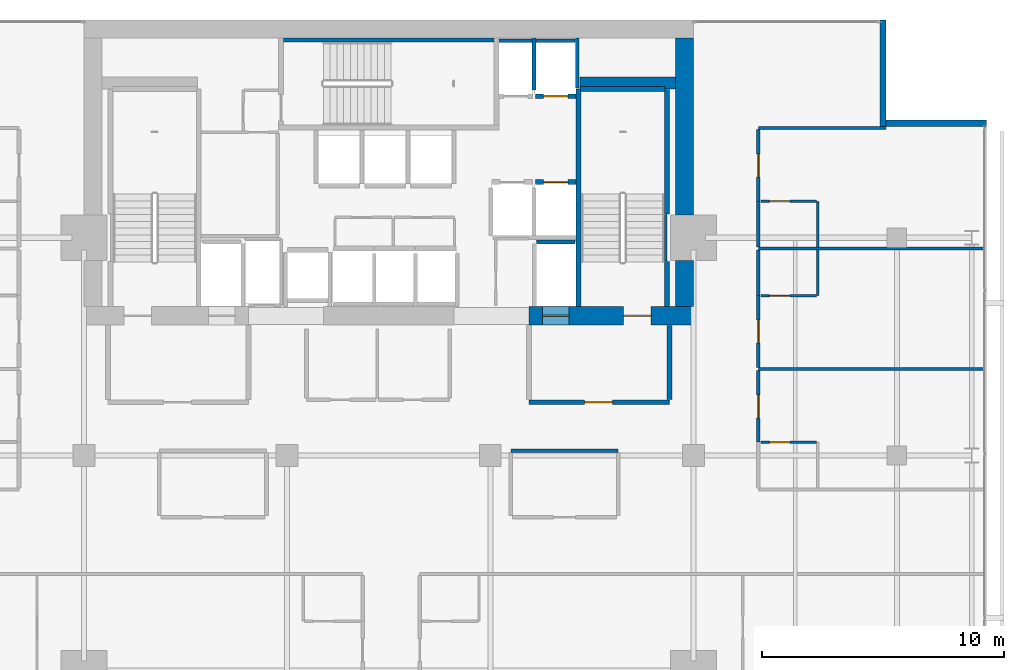
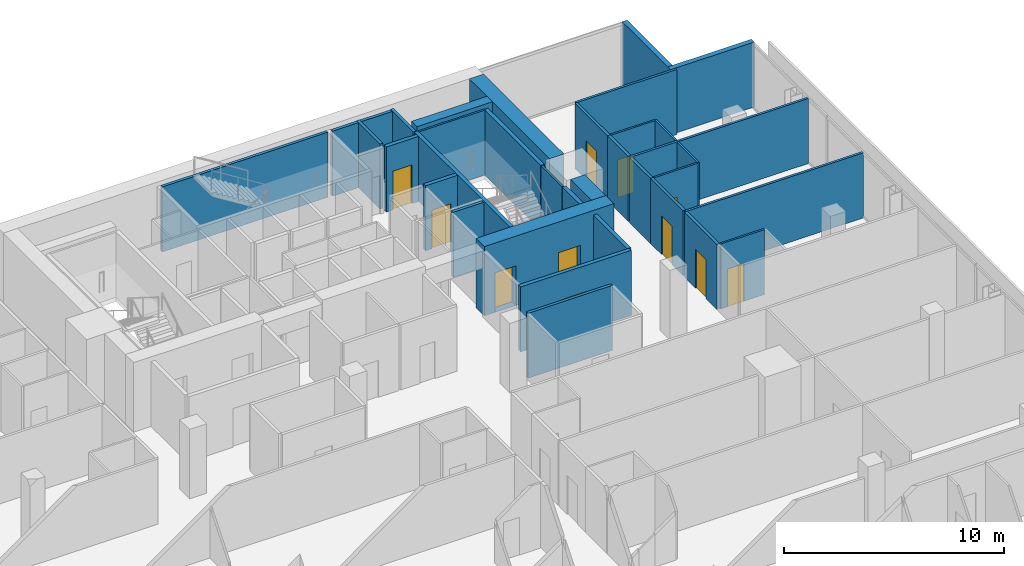
# One storey, part 31 of 34: 34 walls, 11 doors, 11 openings.
"""IFC4 building model written with IfcOpenShell, lengths in metres."""

import ifcopenshell
import ifcopenshell.guid

model = None  # the IFC model being written
_history = None  # IfcOwnerHistory: only IFC2X3 demands one
_inside = {}  # id of a spatial element -> (the spatial element, [elements in it])
_under = {}  # id of a project, library or spatial element -> (it, [spatial elements below it])
_declared = {}  # id of a project -> (the project, [libraries it declares])
_typed = {}  # id of a type object -> (the type object, [elements of that type])
_made_of = {}  # id of a material, layer set ... -> (it, [elements and type objects made of it])


def new_model(schema):
    """Start an empty IFC model of exactly this schema.

    Asked for "IFC4X3", IfcOpenShell would pick the latest addendum, in which some entities
    have other attributes; the version numbers below select the first issue.
    IFC2X3 requires an IfcOwnerHistory on every rooted entity: one is made here for all.
    """
    global model, _history
    if schema == "IFC4X3":
        model = ifcopenshell.file(schema_version=(4, 3, 0, 0))
    else:
        model = ifcopenshell.file(schema=schema)
    _inside.clear()
    _under.clear()
    _declared.clear()
    _typed.clear()
    _made_of.clear()
    _history = None
    if model.schema == "IFC2X3":
        org = make("IfcOrganization", Name="unknown")
        user = make(
            "IfcPersonAndOrganization",
            ThePerson=make("IfcPerson", FamilyName="unknown"),
            TheOrganization=org,
        )
        app = make(
            "IfcApplication",
            ApplicationDeveloper=org,
            Version="unknown",
            ApplicationFullName="unknown",
            ApplicationIdentifier="unknown",
        )
        _history = make(
            "IfcOwnerHistory",
            OwningUser=user,
            OwningApplication=app,
            ChangeAction="ADDED",
            CreationDate=0,
        )
    return model


def make(cls, **values):
    """One entity of the class cls with the attributes given. An attribute that is None is left unset."""
    return model.create_entity(
        cls, **{name: value for name, value in values.items() if value is not None}
    )


def rooted(cls, **values):
    """An entity with a GlobalId (a new one), such as an element, a storey or a relation."""
    return make(cls, GlobalId=ifcopenshell.guid.new(), OwnerHistory=_history, **values)


def si_unit(unit_type, name, prefix=None):
    """IfcSIUnit, for example si_unit("LENGTHUNIT", "METRE", prefix="MILLI")."""
    return make("IfcSIUnit", UnitType=unit_type, Prefix=prefix, Name=name)


def assignment(units):
    """IfcUnitAssignment: the units of a project."""
    return None if units is None else make("IfcUnitAssignment", Units=units)


def point(xyz):
    """IfcCartesianPoint."""
    return None if xyz is None else make("IfcCartesianPoint", Coordinates=xyz)


def direction(xyz):
    """IfcDirection."""
    return None if xyz is None else make("IfcDirection", DirectionRatios=xyz)


def frame(location, z_axis=None, x_axis=None):
    """IfcAxis2Placement3D, a coordinate frame: its origin and axes. An axis left out is left unset."""
    return make(
        "IfcAxis2Placement3D",
        Location=point(location),
        Axis=direction(z_axis),
        RefDirection=direction(x_axis),
    )


def frame_2d(location, x_axis=None):
    """IfcAxis2Placement2D, a coordinate frame in the plane: its origin and x axis."""
    return make(
        "IfcAxis2Placement2D", Location=point(location), RefDirection=direction(x_axis)
    )


def origin():
    """The frame at (0, 0, 0) with its axes left unset."""
    return frame((0.0, 0.0, 0.0))


def place(relative_to, where):
    """IfcLocalPlacement: puts the frame where relative to a parent placement (None: the world)."""
    return make(
        "IfcLocalPlacement", PlacementRelTo=relative_to, RelativePlacement=where
    )


def context(
    kind, dimensions, precision=None, world=None, true_north=None, identifier=None
):
    """IfcGeometricRepresentationContext, for example the 3D "Model" context."""
    return make(
        "IfcGeometricRepresentationContext",
        ContextIdentifier=identifier,
        ContextType=kind,
        CoordinateSpaceDimension=dimensions,
        Precision=precision,
        WorldCoordinateSystem=world,
        TrueNorth=true_north,
    )


def subcontext(parent, identifier, kind, view, scale=None):
    """IfcGeometricRepresentationSubContext, for example "Body" below "Model"."""
    return make(
        "IfcGeometricRepresentationSubContext",
        ContextIdentifier=identifier,
        ContextType=kind,
        ParentContext=parent,
        TargetScale=scale,
        TargetView=view,
    )


def project(units=None, contexts=None):
    """IfcProject with its units and contexts."""
    return rooted(
        "IfcProject",
        Name="project",
        RepresentationContexts=contexts,
        UnitsInContext=assignment(units),
    )


def spatial(cls, under=None, at=None, **own):
    """A site, building, storey or space (cls), placed at a placement, below another one or the project."""
    s = rooted(cls, ObjectPlacement=at, **own)
    if under is not None:
        _under.setdefault(under.id(), (under, []))[1].append(s)
    return s


def profile(cls, at=None, kind="AREA", **sizes):
    """A parametric profile (cls). Its sizes go by their IFC names, for example OverallWidth=200.0."""
    return make(cls, ProfileType=kind, Position=at, **sizes)


def rectangle(**sizes):
    """IfcRectangleProfileDef."""
    return profile("IfcRectangleProfileDef", **sizes)


def extrude(swept, where, along, depth):
    """IfcExtrudedAreaSolid: the profile swept, set in the frame where, extruded along a direction by depth."""
    return make(
        "IfcExtrudedAreaSolid",
        SweptArea=swept,
        Position=where,
        ExtrudedDirection=direction(along),
        Depth=depth,
    )


def shape(context_of_items, identifier, shape_type, items):
    """IfcShapeRepresentation: the items that make up one representation, for example the "Body"."""
    return make(
        "IfcShapeRepresentation",
        ContextOfItems=context_of_items,
        RepresentationIdentifier=identifier,
        RepresentationType=shape_type,
        Items=items,
    )


def material(Name=None, Category=None):
    """IfcMaterial."""
    return make("IfcMaterial", Name=Name, Category=Category)


def layer(
    of_material, thickness, ventilated=None, Name=None, Category=None, Priority=None
):
    """IfcMaterialLayer: one layer of a wall or slab, of a material (None: an air gap)."""
    return make(
        "IfcMaterialLayer",
        Material=of_material,
        LayerThickness=thickness,
        IsVentilated=ventilated,
        Name=Name,
        Category=Category,
        Priority=Priority,
    )


def layer_set(layers, Name=None):
    """IfcMaterialLayerSet."""
    return make("IfcMaterialLayerSet", MaterialLayers=layers, LayerSetName=Name)


def made_of(thing, what):
    """Note that an element or type object is made of a material, layer set ...; save() writes the relation."""
    if what is not None:
        _made_of.setdefault(what.id(), (what, []))[1].append(thing)
    return thing


def type_object(cls, material=None, **own):
    """A type object (cls), such as IfcWallType, which elements share."""
    return made_of(rooted(cls, **own), material)


def element(
    cls,
    number,
    at=None,
    inside=None,
    cuts=None,
    type_object=None,
    material=None,
    context=None,
    identifier="Body",
    shape_type=None,
    held_by="IfcProductDefinitionShape",
    body=None,
    shapes=None,
    **own,
):
    """One element of the class cls, such as IfcWall. Its Tag is "e" and its number.

    at: its placement. inside: the storey or other place that contains it. cuts: it is an
    opening in that element (IfcRelVoidsElement). A single representation is given by context,
    identifier, shape_type and body (its items); several are given by shapes. held_by: the class
    of the entity that holds the representations. save() writes the other relations.
    """
    e = rooted(cls, Tag="e%d" % number, ObjectPlacement=at, **own)
    if body is not None:
        shapes = [shape(context, identifier, shape_type, body)]
    if shapes is not None:
        e.Representation = make(held_by, Representations=shapes)
    if inside is not None:
        _inside.setdefault(inside.id(), (inside, []))[1].append(e)
    if cuts is not None:
        rooted(
            "IfcRelVoidsElement", RelatingBuildingElement=cuts, RelatedOpeningElement=e
        )
    if type_object is not None:
        _typed.setdefault(type_object.id(), (type_object, []))[1].append(e)
    return made_of(e, material)


def fill(opening, filler):
    """IfcRelFillsElement: the door or window that sits in an opening."""
    return rooted(
        "IfcRelFillsElement",
        RelatingOpeningElement=opening,
        RelatedBuildingElement=filler,
    )


def aggregate(whole, parts):
    """IfcRelAggregates: a whole, such as a stair, and the parts it consists of."""
    return rooted("IfcRelAggregates", RelatingObject=whole, RelatedObjects=parts)


def save(model, path):
    """Write the relations noted so far, then the file.

    IfcRelAggregates (storeys below a building ...), IfcRelContainedInSpatialStructure (elements
    in a storey), IfcRelDefinesByType, IfcRelAssociatesMaterial and IfcRelDeclares: one each for
    every whole, place, type object, material and project.
    """
    for whole, parts in _under.values():
        aggregate(whole, parts)
    for where, things in _inside.values():
        rooted(
            "IfcRelContainedInSpatialStructure",
            RelatedElements=things,
            RelatingStructure=where,
        )
    for kind, things in _typed.values():
        rooted("IfcRelDefinesByType", RelatedObjects=things, RelatingType=kind)
    for what, things in _made_of.values():
        rooted("IfcRelAssociatesMaterial", RelatedObjects=things, RelatingMaterial=what)
    for by, libraries in _declared.values():
        rooted("IfcRelDeclares", RelatingContext=by, RelatedDefinitions=libraries)
    model.write(path)


model = new_model("IFC4")

# Units and contexts
model_context = context("Model", 3, precision=1e-05, world=origin(), true_north=direction((0.0, 1.0)))
body_context = subcontext(model_context, "Body", "Model", "MODEL_VIEW")
ifc_project = project(units=[si_unit("LENGTHUNIT", "METRE"), si_unit("AREAUNIT", "SQUARE_METRE"), si_unit("VOLUMEUNIT", "CUBIC_METRE"), si_unit("PLANEANGLEUNIT", "RADIAN"), si_unit("MASSUNIT", "GRAM", prefix="KILO")], contexts=[model_context])

# Site, building, storey
site_placement = place(None, origin())
site = spatial("IfcSite", under=ifc_project, at=site_placement, CompositionType="ELEMENT")
building_placement = place(site_placement, origin())
building = spatial("IfcBuilding", under=site, at=building_placement, Name="Maruvema Waterfront Hotel and Observation Tower", CompositionType="ELEMENT")
storey_placement = place(building_placement, frame((0.0, 0.0, 215.949951171875)))
storey = spatial("IfcBuildingStorey", under=building, at=storey_placement, Name="L53", CompositionType="ELEMENT", Elevation=215.949951171875)

# Wall
ifc_material_1 = material(Name="Twin-stud acoustic gypsum drywall", Category="gypsum")
ifc_layer_1 = layer(ifc_material_1, 0.14990234375, Name="Acoustic Corridor and Suite Demising Wall 150 mm")
ifc_layer_set_1 = layer_set([ifc_layer_1], Name="Twin-stud acoustic gypsum drywall")
wall_type_1 = type_object("IfcWallType", Name="Acoustic Corridor and Suite Demising Wall 150 mm", PredefinedType="PARTITIONING", material=ifc_layer_set_1)
wall_1_placement = place(storey_placement, frame((42.85009765625, 36.199951171875, 0.0), z_axis=(0.0, 0.0, 1.0), x_axis=(1.0, 0.0, 0.0)))
element("IfcWall", 1, at=wall_1_placement, inside=storey, type_object=wall_type_1, Name="L53 L53-M2 Back Wall 031", PredefinedType="PARTITIONING", context=body_context, shape_type="SweptSolid", body=[
    extrude(rectangle(XDim=4.429931640625, YDim=0.14990234375, at=frame_2d((2.21484375, 0.0))), origin(), (0.0, 0.0, 1.0), 3.610107421875),
])

# Wall, opening, door
wall_2_placement = place(storey_placement, frame((53.080078125, 36.550048828125, 0.0), z_axis=(0.0, 0.0, 1.0), x_axis=(0.0, 1.0, 0.0)))
wall_2 = element("IfcWall", 2, at=wall_2_placement, inside=storey, type_object=wall_type_1, Name="L53 Room L53-NE1 Corridor Wall 111", PredefinedType="PARTITIONING", context=body_context, shape_type="SweptSolid", body=[
    extrude(rectangle(XDim=2.96923828125, YDim=0.14990234375, at=frame_2d((1.484619140625, 0.0))), origin(), (0.0, 0.0, 1.0), 3.610107421875),
])
opening_1_placement = place(wall_2_placement, frame((1.009521484375, 0.0, 0.0)))
opening_1 = element("IfcOpeningElement", 3, at=opening_1_placement, cuts=wall_2, Name="Opening DR-095", PredefinedType="OPENING", context=body_context, shape_type="SweptSolid", body=[
    extrude(rectangle(XDim=0.949951171875, YDim=2.14990234375, at=frame_2d((0.47509765625, 1.074951171875))), frame((0.0, 0.0849609375, 0.0), z_axis=(0.0, -1.0, 0.0), x_axis=(1.0, 0.0, 0.0)), (0.0, 0.0, 1.0), 0.169921875),
])
ifc_material_2 = material(Name="Acoustic solid-core hardwood timber leaf", Category="wood")
door_type_1 = type_object("IfcDoorType", Name="Guestroom Entrance Fire Door 950x2150 mm", OperationType="NOTDEFINED", PredefinedType="DOOR", material=ifc_material_2)
door_1_placement = place(opening_1_placement, frame((0.949951171875, 0.0, 0.0), z_axis=(0.0, 0.0, 1.0), x_axis=(-1.0, 0.0, 0.0)))
door_1 = element("IfcDoor", 4, at=door_1_placement, inside=storey, type_object=door_type_1, Name="L53 Room L53-NE1 Entrance Door", OperationType="SINGLE_SWING_RIGHT", OverallHeight=2.14990234375, OverallWidth=0.949951171875, PredefinedType="DOOR", context=body_context, shape_type="SweptSolid", body=[
    extrude(rectangle(XDim=0.949951171875, YDim=2.14990234375, at=frame_2d((0.47509765625, 1.074951171875))), frame((0.0, 0.02490234375, 0.0), z_axis=(0.0, -1.0, 0.0), x_axis=(1.0, 0.0, 0.0)), (0.0, 0.0, 1.0), 0.050048828125),
])
fill(opening_1, door_1)

wall_3_placement = place(storey_placement, frame((53.080078125, 39.63916015625, 0.0), z_axis=(0.0, 0.0, 1.0), x_axis=(0.0, 1.0, 0.0)))
wall_3 = element("IfcWall", 5, at=wall_3_placement, inside=storey, type_object=wall_type_1, Name="L53 Room L53-NE2 Corridor Wall 120", PredefinedType="PARTITIONING", context=body_context, shape_type="SweptSolid", body=[
    extrude(rectangle(XDim=2.96923828125, YDim=0.14990234375, at=frame_2d((1.484619140625, 0.0))), origin(), (0.0, 0.0, 1.0), 3.610107421875),
])
opening_2_placement = place(wall_3_placement, frame((1.009521484375, 0.0, 0.0)))
opening_2 = element("IfcOpeningElement", 6, at=opening_2_placement, cuts=wall_3, Name="Opening DR-095", PredefinedType="OPENING", context=body_context, shape_type="SweptSolid", body=[
    extrude(rectangle(XDim=0.949951171875, YDim=2.14990234375, at=frame_2d((0.47509765625, 1.074951171875))), frame((0.0, 0.0849609375, 0.0), z_axis=(0.0, -1.0, 0.0), x_axis=(1.0, 0.0, 0.0)), (0.0, 0.0, 1.0), 0.169921875),
])
door_2_placement = place(opening_2_placement, frame((0.949951171875, 0.0, 0.0), z_axis=(0.0, 0.0, 1.0), x_axis=(-1.0, 0.0, 0.0)))
door_2 = element("IfcDoor", 7, at=door_2_placement, inside=storey, type_object=door_type_1, Name="L53 Room L53-NE2 Entrance Door", OperationType="SINGLE_SWING_RIGHT", OverallHeight=2.14990234375, OverallWidth=0.949951171875, PredefinedType="DOOR", context=body_context, shape_type="SweptSolid", body=[
    extrude(rectangle(XDim=0.949951171875, YDim=2.14990234375, at=frame_2d((0.47509765625, 1.074951171875))), frame((0.0, 0.02490234375, 0.0), z_axis=(0.0, -1.0, 0.0), x_axis=(1.0, 0.0, 0.0)), (0.0, 0.0, 1.0), 0.050048828125),
])
fill(opening_2, door_2)

# Walls
for number, where, z_axis, x_axis, name in (
    (8, (53.080078125, 42.6083984375, 0.0), (0.0, 0.0, 1.0), (0.0, 1.0, 0.0), "L53 Bath L53-NE2 Wall 121"),
    (9, (53.080078125, 44.618408203125, 0.0), (0.0, 0.0, 1.0), (0.0, 1.0, 0.0), "L53 Bath L53-NE3 Wall 130"),
):
    element("IfcWall", number, at=place(storey_placement, frame(where, z_axis=z_axis, x_axis=x_axis)), inside=storey, type_object=wall_type_1, Name=name, PredefinedType="PARTITIONING", context=body_context, shape_type="SweptSolid", body=[
        extrude(rectangle(XDim=1.889892578125, YDim=0.14990234375, at=frame_2d((0.94482421875, 0.0))), origin(), (0.0, 0.0, 1.0), 3.610107421875),
    ])

# Wall, opening, door
wall_4_placement = place(storey_placement, frame((53.080078125, 46.50830078125, 0.0), z_axis=(0.0, 0.0, 1.0), x_axis=(0.0, 1.0, 0.0)))
wall_4 = element("IfcWall", 10, at=wall_4_placement, inside=storey, type_object=wall_type_1, Name="L53 Room L53-NE3 Corridor Wall 131", PredefinedType="PARTITIONING", context=body_context, shape_type="SweptSolid", body=[
    extrude(rectangle(XDim=2.96923828125, YDim=0.14990234375, at=frame_2d((1.484619140625, 0.0))), origin(), (0.0, 0.0, 1.0), 3.610107421875),
])
opening_3_placement = place(wall_4_placement, frame((1.009521484375, 0.0, 0.0)))
opening_3 = element("IfcOpeningElement", 11, at=opening_3_placement, cuts=wall_4, Name="Opening DR-095", PredefinedType="OPENING", context=body_context, shape_type="SweptSolid", body=[
    extrude(rectangle(XDim=0.949951171875, YDim=2.14990234375, at=frame_2d((0.47509765625, 1.074951171875))), frame((0.0, 0.0849609375, 0.0), z_axis=(0.0, -1.0, 0.0), x_axis=(1.0, 0.0, 0.0)), (0.0, 0.0, 1.0), 0.169921875),
])
door_3_placement = place(opening_3_placement, frame((0.949951171875, 0.0, 0.0), z_axis=(0.0, 0.0, 1.0), x_axis=(-1.0, 0.0, 0.0)))
door_3 = element("IfcDoor", 12, at=door_3_placement, inside=storey, type_object=door_type_1, Name="L53 Room L53-NE3 Entrance Door", OperationType="SINGLE_SWING_RIGHT", OverallHeight=2.14990234375, OverallWidth=0.949951171875, PredefinedType="DOOR", context=body_context, shape_type="SweptSolid", body=[
    extrude(rectangle(XDim=0.949951171875, YDim=2.14990234375, at=frame_2d((0.47509765625, 1.074951171875))), frame((0.0, 0.02490234375, 0.0), z_axis=(0.0, -1.0, 0.0), x_axis=(1.0, 0.0, 0.0)), (0.0, 0.0, 1.0), 0.050048828125),
])
fill(opening_3, door_3)

# Walls
ifc_material_3 = material(Name="Precast concrete C45/55", Category="concrete")
ifc_layer_2 = layer(ifc_material_3, 0.14990234375, Name="Core Shaft Furring Wall 150 mm")
ifc_layer_set_2 = layer_set([ifc_layer_2], Name="Precast concrete C45/55")
wall_type_2 = type_object("IfcWallType", Name="Core Shaft Furring Wall 150 mm", PredefinedType="SOLIDWALL", material=ifc_layer_set_2)
wall_5_placement = place(storey_placement, frame((33.449951171875, 53.175048828125, 0.0), z_axis=(0.0, 0.0, 1.0), x_axis=(1.0, 0.0, 0.0)))
element("IfcWall", 13, at=wall_5_placement, inside=storey, type_object=wall_type_2, Name="L53 Stairwell ST-02 North Furring Wall", PredefinedType="SOLIDWALL", context=body_context, shape_type="SweptSolid", body=[
    extrude(rectangle(XDim=8.699951171875, YDim=0.14990234375, at=frame_2d((4.35009765625, 0.0))), origin(), (0.0, 0.0, 1.0), 3.610107421875),
])
ifc_material_4 = material(Name="Precast concrete C45/55", Category="concrete")
ifc_layer_3 = layer(ifc_material_4, 0.199951171875, Name="Core Shaft and Stairwell Enclosure Wall 200 mm")
ifc_layer_set_3 = layer_set([ifc_layer_3], Name="Precast concrete C45/55")
wall_type_3 = type_object("IfcWallType", Name="Core Shaft and Stairwell Enclosure Wall 200 mm", PredefinedType="SOLIDWALL", material=ifc_layer_set_3)
wall_6_placement = place(storey_placement, frame((45.64990234375, 42.14990234375, 0.0), z_axis=(0.0, 0.0, 1.0), x_axis=(0.0, 1.0, 0.0)))
element("IfcWall", 14, at=wall_6_placement, inside=storey, type_object=wall_type_3, Name="L53 Stairwell ST-03 West Shaft Wall", PredefinedType="SOLIDWALL", context=body_context, shape_type="SweptSolid", body=[
    extrude(rectangle(XDim=9.0, YDim=0.199951171875, at=frame_2d((4.5, 0.0))), origin(), (0.0, 0.0, 1.0), 3.610107421875),
])
wall_7_placement = place(storey_placement, frame((49.300048828125, 42.14990234375, 0.0), z_axis=(0.0, 0.0, 1.0), x_axis=(0.0, 1.0, 0.0)))
element("IfcWall", 15, at=wall_7_placement, inside=storey, type_object=wall_type_3, Name="L53 Stairwell ST-03 Shaft Lining Wall", PredefinedType="SOLIDWALL", context=body_context, shape_type="SweptSolid", body=[
    extrude(rectangle(XDim=1.8701171875, YDim=0.199951171875, at=frame_2d((0.93505859375, 0.0))), origin(), (0.0, 0.0, 1.0), 3.610107421875),
])
wall_8_placement = place(storey_placement, frame((49.300048828125, 45.97998046875, 0.0), z_axis=(0.0, 0.0, 1.0), x_axis=(0.0, 1.0, 0.0)))
element("IfcWall", 16, at=wall_8_placement, inside=storey, type_object=wall_type_3, Name="L53 Stairwell ST-03 Shaft Lining Wall", PredefinedType="SOLIDWALL", context=body_context, shape_type="SweptSolid", body=[
    extrude(rectangle(XDim=5.14013671875, YDim=0.199951171875, at=frame_2d((2.570068359375, 0.0))), origin(), (0.0, 0.0, 1.0), 3.610107421875),
])
wall_9_placement = place(storey_placement, frame((45.719970703125, 51.14990234375, 0.0), z_axis=(0.0, 0.0, 1.0), x_axis=(1.0, 0.0, 0.0)))
element("IfcWall", 17, at=wall_9_placement, inside=storey, type_object=wall_type_3, Name="L53 Stairwell ST-03 Shaft Lining Wall", PredefinedType="SOLIDWALL", context=body_context, shape_type="SweptSolid", body=[
    extrude(rectangle(XDim=3.5, YDim=0.199951171875, at=frame_2d((1.75, 0.0))), origin(), (0.0, 0.0, 1.0), 3.610107421875),
])

# Wall, opening, door
wall_10_placement = place(storey_placement, frame((43.860107421875, 47.300048828125, 0.0), z_axis=(0.0, 0.0, 1.0), x_axis=(1.0, 0.0, 0.0)))
wall_10 = element("IfcWall", 18, at=wall_10_placement, inside=storey, type_object=wall_type_3, Name="L53 Lift LF-06 Hoistway Front Wall", PredefinedType="SOLIDWALL", context=body_context, shape_type="SweptSolid", body=[
    extrude(rectangle(XDim=1.679931640625, YDim=0.199951171875, at=frame_2d((0.83984375, 0.0))), origin(), (0.0, 0.0, 1.0), 3.610107421875),
])
opening_4_placement = place(wall_10_placement, frame((0.340087890625, 0.0, 0.0)))
opening_4 = element("IfcOpeningElement", 19, at=opening_4_placement, cuts=wall_10, Name="Opening LD-01", PredefinedType="OPENING", context=body_context, shape_type="SweptSolid", body=[
    extrude(rectangle(XDim=1.0, YDim=2.14990234375, at=frame_2d((0.5, 1.074951171875))), frame((0.0, 0.10986328125, 0.0), z_axis=(0.0, -1.0, 0.0), x_axis=(1.0, 0.0, 0.0)), (0.0, 0.0, 1.0), 0.219970703125),
])
ifc_material_5 = material(Name="Brushed stainless steel Grade 316", Category="steel")
door_type_2 = type_object("IfcDoorType", Name="Passenger Lift Sliding Landing Door 1000x2150 mm", OperationType="SLIDING_TO_LEFT", PredefinedType="DOOR", material=ifc_material_5)
door_4_placement = place(opening_4_placement, origin())
door_4 = element("IfcDoor", 20, at=door_4_placement, inside=storey, type_object=door_type_2, Name="L53 Lift LF-06 Sliding Landing Door", OperationType="SLIDING_TO_LEFT", OverallHeight=2.14990234375, OverallWidth=1.0, PredefinedType="DOOR", context=body_context, shape_type="SweptSolid", body=[
    extrude(rectangle(XDim=1.0, YDim=2.14990234375, at=frame_2d((0.5, 1.074951171875))), frame((0.0, 0.02490234375, 0.0), z_axis=(0.0, -1.0, 0.0), x_axis=(1.0, 0.0, 0.0)), (0.0, 0.0, 1.0), 0.050048828125),
])
fill(opening_4, door_4)

wall_11_placement = place(storey_placement, frame((43.860107421875, 50.85009765625, 0.0), z_axis=(0.0, 0.0, 1.0), x_axis=(1.0, 0.0, 0.0)))
wall_11 = element("IfcWall", 21, at=wall_11_placement, inside=storey, type_object=wall_type_3, Name="L53 Lift LF-08 Hoistway Front Wall", PredefinedType="SOLIDWALL", context=body_context, shape_type="SweptSolid", body=[
    extrude(rectangle(XDim=1.679931640625, YDim=0.199951171875, at=frame_2d((0.83984375, 0.0))), origin(), (0.0, 0.0, 1.0), 3.610107421875),
])
opening_5_placement = place(wall_11_placement, frame((0.340087890625, 0.0, 0.0)))
opening_5 = element("IfcOpeningElement", 22, at=opening_5_placement, cuts=wall_11, Name="Opening LD-01", PredefinedType="OPENING", context=body_context, shape_type="SweptSolid", body=[
    extrude(rectangle(XDim=1.0, YDim=2.14990234375, at=frame_2d((0.5, 1.074951171875))), frame((0.0, 0.10986328125, 0.0), z_axis=(0.0, -1.0, 0.0), x_axis=(1.0, 0.0, 0.0)), (0.0, 0.0, 1.0), 0.219970703125),
])
door_5_placement = place(opening_5_placement, frame((1.0, 0.0, 0.0), z_axis=(0.0, 0.0, 1.0), x_axis=(-1.0, 0.0, 0.0)))
door_5 = element("IfcDoor", 23, at=door_5_placement, inside=storey, type_object=door_type_2, Name="L53 Lift LF-08 Sliding Landing Door", OperationType="SLIDING_TO_LEFT", OverallHeight=2.14990234375, OverallWidth=1.0, PredefinedType="DOOR", context=body_context, shape_type="SweptSolid", body=[
    extrude(rectangle(XDim=1.0, YDim=2.14990234375, at=frame_2d((0.5, 1.074951171875))), frame((0.0, 0.02490234375, 0.0), z_axis=(0.0, -1.0, 0.0), x_axis=(1.0, 0.0, 0.0)), (0.0, 0.0, 1.0), 0.050048828125),
])
fill(opening_5, door_5)

# Wall
ifc_material_6 = material(Name="Concrete C70/85", Category="concrete")
ifc_layer_4 = layer(ifc_material_6, 0.5, Name="Core Shear Wall 500 mm")
ifc_layer_set_4 = layer_set([ifc_layer_4], Name="Concrete C70/85")
wall_type_4 = type_object("IfcWallType", Name="Core Shear Wall 500 mm", PredefinedType="SHEAR", material=ifc_layer_set_4)
wall_12_placement = place(storey_placement, frame((45.699951171875, 51.39990234375, 0.0), z_axis=(0.0, 0.0, 1.0), x_axis=(1.0, 0.0, 0.0)))
element("IfcWall", 24, at=wall_12_placement, inside=storey, type_object=wall_type_4, Name="L53 Internal Core Shear Wall NE 500 mm", PredefinedType="SHEAR", context=body_context, shape_type="SweptSolid", body=[
    extrude(rectangle(XDim=3.949951171875, YDim=0.5, at=frame_2d((1.97509765625, 0.0))), origin(), (0.0, 0.0, 1.0), 3.85009765625),
])

# Wall, openings, doors
ifc_material_7 = material(Name="Concrete C70/85", Category="concrete")
ifc_layer_5 = layer(ifc_material_7, 0.75, Name="Core Shear Wall 750 mm")
ifc_layer_set_5 = layer_set([ifc_layer_5], Name="Concrete C70/85")
wall_type_5 = type_object("IfcWallType", Name="Core Shear Wall 750 mm", PredefinedType="SHEAR", material=ifc_layer_set_5)
wall_13_placement = place(storey_placement, frame((43.60009765625, 41.77490234375, 0.0), z_axis=(0.0, 0.0, 1.0), x_axis=(1.0, 0.0, 0.0)))
wall_13 = element("IfcWall", 25, at=wall_13_placement, inside=storey, type_object=wall_type_5, Name="L53 South-East Core Shear Wall", PredefinedType="SHEAR", context=body_context, shape_type="SweptSolid", body=[
    extrude(rectangle(XDim=6.7998046875, YDim=0.75, at=frame_2d((3.39990234375, 0.0))), origin(), (0.0, 0.0, 1.0), 3.85009765625),
])
opening_6_placement = place(wall_13_placement, frame((3.89990234375, 0.0, 0.0)))
opening_6 = element("IfcOpeningElement", 26, at=opening_6_placement, cuts=wall_13, Name="Opening SD-01", PredefinedType="OPENING", context=body_context, shape_type="SweptSolid", body=[
    extrude(rectangle(XDim=1.14990234375, YDim=2.14990234375, at=frame_2d((0.574951171875, 1.074951171875))), frame((0.0, 0.385009765625, 0.0), z_axis=(0.0, -1.0, 0.0), x_axis=(1.0, 0.0, 0.0)), (0.0, 0.0, 1.0), 0.77001953125),
])
opening_7_placement = place(wall_13_placement, frame((0.550048828125, 0.0, 0.0)))
opening_7 = element("IfcOpeningElement", 27, at=opening_7_placement, cuts=wall_13, Name="Opening LD-03", PredefinedType="OPENING", context=body_context, shape_type="SweptSolid", body=[
    extrude(rectangle(XDim=1.10009765625, YDim=2.199951171875, at=frame_2d((0.550048828125, 1.10009765625))), frame((0.0, 0.385009765625, 0.0), z_axis=(0.0, -1.0, 0.0), x_axis=(1.0, 0.0, 0.0)), (0.0, 0.0, 1.0), 0.77001953125),
])
ifc_material_8 = material(Name="Fire-rated galvanised steel leaf", Category="steel")
door_type_3 = type_object("IfcDoorType", Name="Exit Stair Fire Door 1150x2150 mm", OperationType="NOTDEFINED", PredefinedType="DOOR", material=ifc_material_8)
door_6_placement = place(opening_6_placement, origin())
door_6 = element("IfcDoor", 28, at=door_6_placement, inside=storey, type_object=door_type_3, Name="L53 Exit Stair ST-03 Fire Door", OperationType="SINGLE_SWING_RIGHT", OverallHeight=2.14990234375, OverallWidth=1.14990234375, PredefinedType="DOOR", context=body_context, shape_type="SweptSolid", body=[
    extrude(rectangle(XDim=1.14990234375, YDim=2.14990234375, at=frame_2d((0.574951171875, 1.074951171875))), frame((0.0, 0.02490234375, 0.0), z_axis=(0.0, -1.0, 0.0), x_axis=(1.0, 0.0, 0.0)), (0.0, 0.0, 1.0), 0.050048828125),
])
fill(opening_6, door_6)
ifc_material_9 = material(Name="Brushed stainless steel Grade 316", Category="steel")
door_type_4 = type_object("IfcDoorType", Name="Firefighting Lift Sliding Landing Door 1100x2200 mm", OperationType="SLIDING_TO_LEFT", PredefinedType="DOOR", material=ifc_material_9)
door_7_placement = place(opening_7_placement, frame((1.10009765625, 0.0, 0.0), z_axis=(0.0, 0.0, 1.0), x_axis=(-1.0, 0.0, 0.0)))
door_7 = element("IfcDoor", 29, at=door_7_placement, inside=storey, type_object=door_type_4, Name="L53 Firefighting Lift FL-02 Landing Door", OperationType="SLIDING_TO_LEFT", OverallHeight=2.199951171875, OverallWidth=1.10009765625, PredefinedType="DOOR", context=body_context, shape_type="SweptSolid", body=[
    extrude(rectangle(XDim=1.10009765625, YDim=2.199951171875, at=frame_2d((0.550048828125, 1.10009765625))), frame((0.0, 0.02490234375, 0.0), z_axis=(0.0, -1.0, 0.0), x_axis=(1.0, 0.0, 0.0)), (0.0, 0.0, 1.0), 0.050048828125),
])
fill(opening_7, door_7)

# Walls
wall_14_placement = place(storey_placement, frame((50.02490234375, 42.14990234375, 0.0), z_axis=(0.0, 0.0, 1.0), x_axis=(0.0, 1.0, 0.0)))
element("IfcWall", 30, at=wall_14_placement, inside=storey, type_object=wall_type_5, Name="L53 East-South Core Shear Wall", PredefinedType="SHEAR", context=body_context, shape_type="SweptSolid", body=[
    extrude(rectangle(XDim=1.900146484375, YDim=0.75, at=frame_2d((0.9501953125, 0.0))), origin(), (0.0, 0.0, 1.0), 3.85009765625),
])
wall_15_placement = place(storey_placement, frame((50.02490234375, 45.949951171875, 0.0), z_axis=(0.0, 0.0, 1.0), x_axis=(0.0, 1.0, 0.0)))
element("IfcWall", 31, at=wall_15_placement, inside=storey, type_object=wall_type_5, Name="L53 East-North Core Shear Wall", PredefinedType="SHEAR", context=body_context, shape_type="SweptSolid", body=[
    extrude(rectangle(XDim=7.300048828125, YDim=0.75, at=frame_2d((3.64990234375, 0.0))), origin(), (0.0, 0.0, 1.0), 3.85009765625),
])

# Wall, opening, door
ifc_material_10 = material(Name="Moisture-resistant cement-board drywall", Category="gypsum")
ifc_layer_6 = layer(ifc_material_10, 0.10009765625, Name="En-Suite Moisture-Resistant Partition 100 mm")
ifc_layer_set_6 = layer_set([ifc_layer_6], Name="Moisture-resistant cement-board drywall")
wall_type_6 = type_object("IfcWallType", Name="En-Suite Moisture-Resistant Partition 100 mm", PredefinedType="PARTITIONING", material=ifc_layer_set_6)
wall_16_placement = place(storey_placement, frame((53.179931640625, 36.550048828125, 0.0), z_axis=(0.0, 0.0, 1.0), x_axis=(1.0, 0.0, 0.0)))
wall_16 = element("IfcWall", 32, at=wall_16_placement, inside=storey, type_object=wall_type_6, Name="L53 En-Suite L53-NE1 N 113", PredefinedType="PARTITIONING", context=body_context, shape_type="SweptSolid", body=[
    extrude(rectangle(XDim=2.300048828125, YDim=0.10009765625, at=frame_2d((1.14990234375, 0.0))), origin(), (0.0, 0.0, 1.0), 3.610107421875),
])
opening_8_placement = place(wall_16_placement, frame((0.35009765625, 0.0, 0.0)))
opening_8 = element("IfcOpeningElement", 33, at=opening_8_placement, cuts=wall_16, Name="Opening DR-085", PredefinedType="OPENING", context=body_context, shape_type="SweptSolid", body=[
    extrude(rectangle(XDim=0.85009765625, YDim=2.10009765625, at=frame_2d((0.425048828125, 1.050048828125))), frame((0.0, 0.06005859375, 0.0), z_axis=(0.0, -1.0, 0.0), x_axis=(1.0, 0.0, 0.0)), (0.0, 0.0, 1.0), 0.1201171875),
])
ifc_material_11 = material(Name="Moisture-resistant solid timber leaf", Category="wood")
door_type_5 = type_object("IfcDoorType", Name="En-Suite Bathroom Door 850x2100 mm", OperationType="NOTDEFINED", PredefinedType="DOOR", material=ifc_material_11)
door_8_placement = place(opening_8_placement, origin())
door_8 = element("IfcDoor", 34, at=door_8_placement, inside=storey, type_object=door_type_5, Name="L53 En-Suite L53-NE1 Door", OperationType="SINGLE_SWING_LEFT", OverallHeight=2.10009765625, OverallWidth=0.85009765625, PredefinedType="DOOR", context=body_context, shape_type="SweptSolid", body=[
    extrude(rectangle(XDim=0.85009765625, YDim=2.10009765625, at=frame_2d((0.425048828125, 1.050048828125))), frame((0.0, 0.02490234375, 0.0), z_axis=(0.0, -1.0, 0.0), x_axis=(1.0, 0.0, 0.0)), (0.0, 0.0, 1.0), 0.050048828125),
])
fill(opening_8, door_8)

# Wall
wall_17_placement = place(storey_placement, frame((55.530029296875, 42.6083984375, 0.0), z_axis=(0.0, 0.0, 1.0), x_axis=(0.0, 1.0, 0.0)))
element("IfcWall", 35, at=wall_17_placement, inside=storey, type_object=wall_type_6, Name="L53 En-Suite L53-NE2 E 122", PredefinedType="PARTITIONING", context=body_context, shape_type="SweptSolid", body=[
    extrude(rectangle(XDim=1.889892578125, YDim=0.10009765625, at=frame_2d((0.94482421875, 0.0))), origin(), (0.0, 0.0, 1.0), 3.610107421875),
])

# Wall, opening, door
wall_18_placement = place(storey_placement, frame((53.179931640625, 42.6083984375, 0.0), z_axis=(0.0, 0.0, 1.0), x_axis=(1.0, 0.0, 0.0)))
wall_18 = element("IfcWall", 36, at=wall_18_placement, inside=storey, type_object=wall_type_6, Name="L53 En-Suite L53-NE2 S 123", PredefinedType="PARTITIONING", context=body_context, shape_type="SweptSolid", body=[
    extrude(rectangle(XDim=2.300048828125, YDim=0.10009765625, at=frame_2d((1.14990234375, 0.0))), origin(), (0.0, 0.0, 1.0), 3.610107421875),
])
opening_9_placement = place(wall_18_placement, frame((0.35009765625, 0.0, 0.0)))
opening_9 = element("IfcOpeningElement", 37, at=opening_9_placement, cuts=wall_18, Name="Opening DR-085", PredefinedType="OPENING", context=body_context, shape_type="SweptSolid", body=[
    extrude(rectangle(XDim=0.85009765625, YDim=2.10009765625, at=frame_2d((0.425048828125, 1.050048828125))), frame((0.0, 0.06005859375, 0.0), z_axis=(0.0, -1.0, 0.0), x_axis=(1.0, 0.0, 0.0)), (0.0, 0.0, 1.0), 0.1201171875),
])
door_9_placement = place(opening_9_placement, frame((0.85009765625, 0.0, 0.0), z_axis=(0.0, 0.0, 1.0), x_axis=(-1.0, 0.0, 0.0)))
door_9 = element("IfcDoor", 38, at=door_9_placement, inside=storey, type_object=door_type_5, Name="L53 En-Suite L53-NE2 Door", OperationType="SINGLE_SWING_LEFT", OverallHeight=2.10009765625, OverallWidth=0.85009765625, PredefinedType="DOOR", context=body_context, shape_type="SweptSolid", body=[
    extrude(rectangle(XDim=0.85009765625, YDim=2.10009765625, at=frame_2d((0.425048828125, 1.050048828125))), frame((0.0, 0.02490234375, 0.0), z_axis=(0.0, -1.0, 0.0), x_axis=(1.0, 0.0, 0.0)), (0.0, 0.0, 1.0), 0.050048828125),
])
fill(opening_9, door_9)

# Wall
wall_19_placement = place(storey_placement, frame((55.530029296875, 44.618408203125, 0.0), z_axis=(0.0, 0.0, 1.0), x_axis=(0.0, 1.0, 0.0)))
element("IfcWall", 39, at=wall_19_placement, inside=storey, type_object=wall_type_6, Name="L53 En-Suite L53-NE3 E 132", PredefinedType="PARTITIONING", context=body_context, shape_type="SweptSolid", body=[
    extrude(rectangle(XDim=1.889892578125, YDim=0.10009765625, at=frame_2d((0.94482421875, 0.0))), origin(), (0.0, 0.0, 1.0), 3.610107421875),
])

# Wall, opening, door
wall_20_placement = place(storey_placement, frame((53.179931640625, 46.50830078125, 0.0), z_axis=(0.0, 0.0, 1.0), x_axis=(1.0, 0.0, 0.0)))
wall_20 = element("IfcWall", 40, at=wall_20_placement, inside=storey, type_object=wall_type_6, Name="L53 En-Suite L53-NE3 N 133", PredefinedType="PARTITIONING", context=body_context, shape_type="SweptSolid", body=[
    extrude(rectangle(XDim=2.300048828125, YDim=0.10009765625, at=frame_2d((1.14990234375, 0.0))), origin(), (0.0, 0.0, 1.0), 3.610107421875),
])
opening_10_placement = place(wall_20_placement, frame((0.35009765625, 0.0, 0.0)))
opening_10 = element("IfcOpeningElement", 41, at=opening_10_placement, cuts=wall_20, Name="Opening DR-085", PredefinedType="OPENING", context=body_context, shape_type="SweptSolid", body=[
    extrude(rectangle(XDim=0.85009765625, YDim=2.10009765625, at=frame_2d((0.425048828125, 1.050048828125))), frame((0.0, 0.06005859375, 0.0), z_axis=(0.0, -1.0, 0.0), x_axis=(1.0, 0.0, 0.0)), (0.0, 0.0, 1.0), 0.1201171875),
])
door_10_placement = place(opening_10_placement, origin())
door_10 = element("IfcDoor", 42, at=door_10_placement, inside=storey, type_object=door_type_5, Name="L53 En-Suite L53-NE3 Door", OperationType="SINGLE_SWING_LEFT", OverallHeight=2.10009765625, OverallWidth=0.85009765625, PredefinedType="DOOR", context=body_context, shape_type="SweptSolid", body=[
    extrude(rectangle(XDim=0.85009765625, YDim=2.10009765625, at=frame_2d((0.425048828125, 1.050048828125))), frame((0.0, 0.02490234375, 0.0), z_axis=(0.0, -1.0, 0.0), x_axis=(1.0, 0.0, 0.0)), (0.0, 0.0, 1.0), 0.050048828125),
])
fill(opening_10, door_10)

# Walls
ifc_material_12 = material(Name="Precast concrete C45/55 with honed Pernambuco granite facing", Category="masonry")
ifc_layer_7 = layer(ifc_material_12, 0.260009765625, Name="Exterior Granite Clad Spandrel and Pier Wall 260 mm")
ifc_layer_set_7 = layer_set([ifc_layer_7], Name="Precast concrete C45/55 with honed Pernambuco granite facing")
wall_type_7 = type_object("IfcWallType", Name="Exterior Granite Clad Spandrel and Pier Wall 260 mm", PredefinedType="SOLIDWALL", material=ifc_layer_set_7)
for number, where, z_axis, x_axis, name in (
    (43, (58.22998046875, 54.0, 0.0), (0.0, 0.0, 1.0), (0.0, -1.0, 0.0), "L53 Corner Notch Granite Pier Wall NE1"),
    (44, (58.10009765625, 49.72998046875, 0.0), (0.0, 0.0, 1.0), (1.0, 0.0, 0.0), "L53 Corner Notch Granite Pier Wall NE2"),
):
    element("IfcWall", number, at=place(storey_placement, frame(where, z_axis=z_axis, x_axis=x_axis)), inside=storey, type_object=wall_type_7, Name=name, PredefinedType="SOLIDWALL", context=body_context, shape_type="SweptSolid", body=[
        extrude(rectangle(XDim=4.39990234375, YDim=0.260009765625, at=frame_2d((2.199951171875, 0.0))), origin(), (0.0, 0.0, 1.0), 3.610107421875),
    ])

# Wall, opening, door
ifc_material_13 = material(Name="Autoclaved cellular concrete blockwork", Category="masonry")
ifc_layer_8 = layer(ifc_material_13, 0.199951171875, Name="Fire Compartment Masonry Wall 200 mm")
ifc_layer_set_8 = layer_set([ifc_layer_8], Name="Autoclaved cellular concrete blockwork")
wall_type_8 = type_object("IfcWallType", Name="Fire Compartment Masonry Wall 200 mm", PredefinedType="PARTITIONING", material=ifc_layer_set_8)
wall_21_placement = place(storey_placement, frame((43.60009765625, 38.199951171875, 0.0), z_axis=(0.0, 0.0, 1.0), x_axis=(1.0, 0.0, 0.0)))
wall_21 = element("IfcWall", 45, at=wall_21_placement, inside=storey, type_object=wall_type_8, Name="L53 FFL East South Wall 004", PredefinedType="PARTITIONING", context=body_context, shape_type="SweptSolid", body=[
    extrude(rectangle(XDim=5.7998046875, YDim=0.199951171875, at=frame_2d((2.89990234375, 0.0))), origin(), (0.0, 0.0, 1.0), 3.610107421875),
])
opening_11_placement = place(wall_21_placement, frame((2.300048828125, 0.0, 0.0)))
opening_11 = element("IfcOpeningElement", 46, at=opening_11_placement, cuts=wall_21, Name="Opening FD-115", PredefinedType="OPENING", context=body_context, shape_type="SweptSolid", body=[
    extrude(rectangle(XDim=1.14990234375, YDim=2.14990234375, at=frame_2d((0.574951171875, 1.074951171875))), frame((0.0, 0.10986328125, 0.0), z_axis=(0.0, -1.0, 0.0), x_axis=(1.0, 0.0, 0.0)), (0.0, 0.0, 1.0), 0.219970703125),
])
ifc_material_14 = material(Name="Fire-rated galvanised steel and vision glass", Category="steel")
door_type_6 = type_object("IfcDoorType", Name="Firefighting Lobby Fire Door 1150x2150 mm", OperationType="NOTDEFINED", PredefinedType="DOOR", material=ifc_material_14)
door_11_placement = place(opening_11_placement, frame((1.14990234375, 0.0, 0.0), z_axis=(0.0, 0.0, 1.0), x_axis=(-1.0, 0.0, 0.0)))
door_11 = element("IfcDoor", 47, at=door_11_placement, inside=storey, type_object=door_type_6, Name="L53 Firefighting Lobby East Door", OperationType="SINGLE_SWING_RIGHT", OverallHeight=2.14990234375, OverallWidth=1.14990234375, PredefinedType="DOOR", context=body_context, shape_type="SweptSolid", body=[
    extrude(rectangle(XDim=1.14990234375, YDim=2.14990234375, at=frame_2d((0.574951171875, 1.074951171875))), frame((0.0, 0.02490234375, 0.0), z_axis=(0.0, -1.0, 0.0), x_axis=(1.0, 0.0, 0.0)), (0.0, 0.0, 1.0), 0.050048828125),
])
fill(opening_11, door_11)

# Walls
wall_22_placement = place(storey_placement, frame((49.39990234375, 38.31005859375, 0.0), z_axis=(0.0, 0.0, 1.0), x_axis=(0.0, 1.0, 0.0)))
element("IfcWall", 48, at=wall_22_placement, inside=storey, type_object=wall_type_8, Name="L53 FFL East East Wall 006", PredefinedType="PARTITIONING", context=body_context, shape_type="SweptSolid", body=[
    extrude(rectangle(XDim=3.06982421875, YDim=0.199951171875, at=frame_2d((1.534912109375, 0.0))), origin(), (0.0, 0.0, 1.0), 3.610107421875),
])
ifc_material_15 = material(Name="Acoustic gypsum plasterboard drywall", Category="gypsum")
ifc_layer_9 = layer(ifc_material_15, 0.125, Name="Guestroom Acoustic Demising Wall 125 mm")
ifc_layer_set_9 = layer_set([ifc_layer_9], Name="Acoustic gypsum plasterboard drywall")
wall_type_9 = type_object("IfcWallType", Name="Guestroom Acoustic Demising Wall 125 mm", PredefinedType="PARTITIONING", material=ifc_layer_set_9)
wall_23_placement = place(storey_placement, frame((53.080078125, 49.53759765625, 0.0), z_axis=(0.0, 0.0, 1.0), x_axis=(1.0, 0.0, 0.0)))
element("IfcWall", 49, at=wall_23_placement, inside=storey, type_object=wall_type_9, Name="L53 Z2 NE Top End 105", PredefinedType="PARTITIONING", context=body_context, shape_type="SweptSolid", body=[
    extrude(rectangle(XDim=5.280029296875, YDim=0.125, at=frame_2d((2.64013671875, 0.0))), origin(), (0.0, 0.0, 1.0), 3.610107421875),
])
for number, where, z_axis, x_axis, name in (
    (50, (53.080078125, 39.5791015625, 0.0), (0.0, 0.0, 1.0), (1.0, 0.0, 0.0), "L53 Z2 NE Demising 2 115"),
    (51, (53.080078125, 44.558349609375, 0.0), (0.0, 0.0, 1.0), (1.0, 0.0, 0.0), "L53 Z2 NE Demising 3 125"),
):
    element("IfcWall", number, at=place(storey_placement, frame(where, z_axis=z_axis, x_axis=x_axis)), inside=storey, type_object=wall_type_9, Name=name, PredefinedType="PARTITIONING", context=body_context, shape_type="SweptSolid", body=[
        extrude(rectangle(XDim=9.31982421875, YDim=0.125, at=frame_2d((4.659912109375, 0.0))), origin(), (0.0, 0.0, 1.0), 3.610107421875),
    ])
ifc_material_16 = material(Name="Precast concrete C45/55", Category="concrete")
ifc_layer_10 = layer(ifc_material_16, 0.159912109375, Name="Lift Hoistway Divider Wall 160 mm")
ifc_layer_set_10 = layer_set([ifc_layer_10], Name="Precast concrete C45/55")
wall_type_10 = type_object("IfcWallType", Name="Lift Hoistway Divider Wall 160 mm", PredefinedType="SOLIDWALL", material=ifc_layer_set_10)
wall_24_placement = place(storey_placement, frame((43.89990234375, 44.830078125, 0.0), z_axis=(0.0, 0.0, 1.0), x_axis=(1.0, 0.0, 0.0)))
element("IfcWall", 52, at=wall_24_placement, inside=storey, type_object=wall_type_10, Name="L53 Lift FL-02 Rear Hoistway Wall", PredefinedType="SOLIDWALL", context=body_context, shape_type="SweptSolid", body=[
    extrude(rectangle(XDim=1.60009765625, YDim=0.159912109375, at=frame_2d((0.800048828125, 0.0))), origin(), (0.0, 0.0, 1.0), 3.610107421875),
])
wall_25_placement = place(storey_placement, frame((45.590087890625, 51.179931640625, 0.0), z_axis=(0.0, 0.0, 1.0), x_axis=(0.0, 1.0, 0.0)))
element("IfcWall", 53, at=wall_25_placement, inside=storey, type_object=wall_type_10, Name="L53 Hoistway Divider Wall", PredefinedType="SOLIDWALL", context=body_context, shape_type="SweptSolid", body=[
    extrude(rectangle(XDim=2.070068359375, YDim=0.159912109375, at=frame_2d((1.03515625, 0.0))), origin(), (0.0, 0.0, 1.0), 3.610107421875),
])
wall_26_placement = place(storey_placement, frame((43.800048828125, 51.10009765625, 0.0), z_axis=(0.0, 0.0, 1.0), x_axis=(0.0, 1.0, 0.0)))
element("IfcWall", 54, at=wall_26_placement, inside=storey, type_object=wall_type_10, Name="L53 Hoistway Divider Wall", PredefinedType="SOLIDWALL", context=body_context, shape_type="SweptSolid", body=[
    extrude(rectangle(XDim=2.14990234375, YDim=0.159912109375, at=frame_2d((1.074951171875, 0.0))), origin(), (0.0, 0.0, 1.0), 3.610107421875),
])
wall_27_placement = place(storey_placement, frame((42.360107421875, 53.139892578125, 0.0), z_axis=(0.0, 0.0, 1.0), x_axis=(1.0, 0.0, 0.0)))
element("IfcWall", 55, at=wall_27_placement, inside=storey, type_object=wall_type_10, Name="L53 Hoistway Divider Wall", PredefinedType="SOLIDWALL", context=body_context, shape_type="SweptSolid", body=[
    extrude(rectangle(XDim=3.139892578125, YDim=0.159912109375, at=frame_2d((1.56982421875, 0.0))), origin(), (0.0, 0.0, 1.0), 3.610107421875),
])
ifc_material_17 = material(Name="Precast concrete C45/55", Category="concrete")
ifc_layer_11 = layer(ifc_material_17, 0.10009765625, Name="Stairwell Stringer Cheek Wall 100 mm")
ifc_layer_set_11 = layer_set([ifc_layer_11], Name="Precast concrete C45/55")
wall_type_11 = type_object("IfcWallType", Name="Stairwell Stringer Cheek Wall 100 mm", PredefinedType="SOLIDWALL", material=ifc_layer_set_11)
wall_28_placement = place(storey_placement, frame((49.248046875, 44.0400390625, 0.0), z_axis=(0.0, 0.0, 1.0), x_axis=(0.0, 1.0, 0.0)))
element("IfcWall", 56, at=wall_28_placement, inside=storey, type_object=wall_type_11, Name="L53 Stairwell ST-03 Mega-Column Cheek Wall", PredefinedType="SOLIDWALL", context=body_context, shape_type="SweptSolid", body=[
    extrude(rectangle(XDim=1.919921875, YDim=0.10009765625, at=frame_2d((0.9599609375, 0.0))), origin(), (0.0, 0.0, 1.0), 3.610107421875),
])

save(model, "model.ifc")
